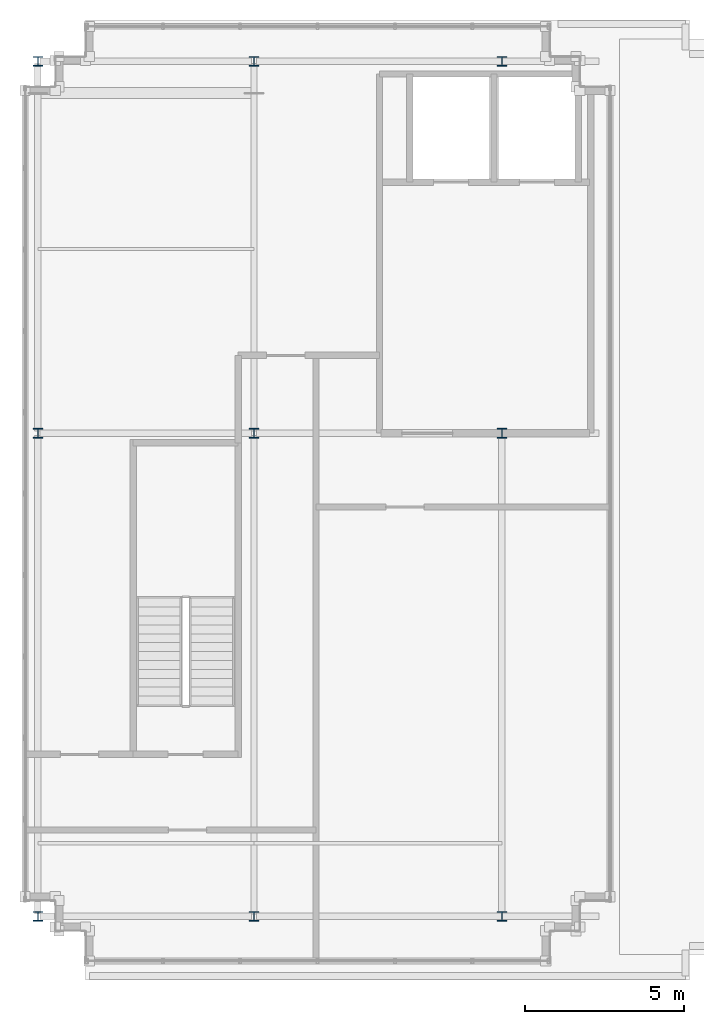
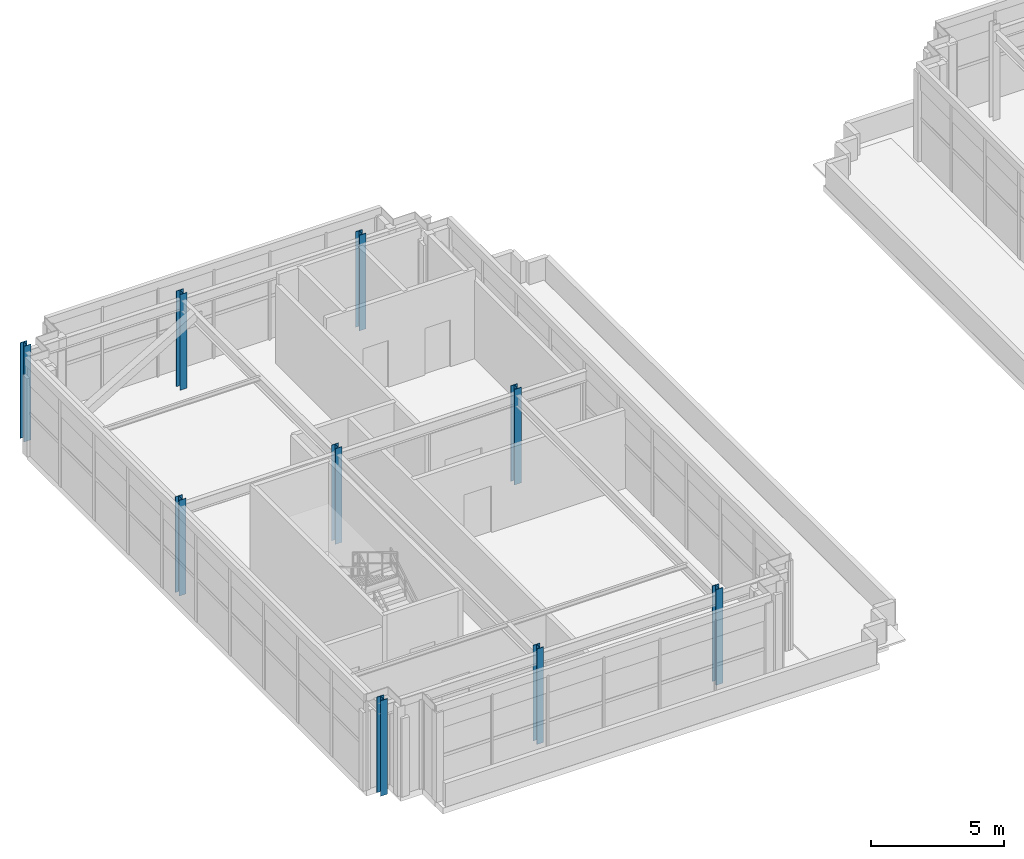
# One storey, part 1 of 28: 9 columns.
"""IFC4 building model written with IfcOpenShell, lengths in metres."""

from ifc_helpers import new_model, si_unit, direction, frame, origin, origin_2d, place, context, subcontext, project, spatial, i_section, extrude, source, transform, mapped, material, material_profile, profile_set, type_object, element, save


model = new_model("IFC4")

# Units and contexts
model_context = context("Model", 3, precision=1e-05, world=origin(), true_north=direction((0.0, 1.0)))
body_context = subcontext(model_context, "Body", "Model", "MODEL_VIEW")
ifc_project = project(units=[si_unit("LENGTHUNIT", "METRE"), si_unit("AREAUNIT", "SQUARE_METRE"), si_unit("VOLUMEUNIT", "CUBIC_METRE"), si_unit("PLANEANGLEUNIT", "RADIAN"), si_unit("MASSUNIT", "GRAM", prefix="KILO")], contexts=[model_context])

# Site, building, storey
site_placement = place(None, origin())
site = spatial("IfcSite", under=ifc_project, at=site_placement, CompositionType="ELEMENT")
building_placement = place(site_placement, origin())
building = spatial("IfcBuilding", under=site, at=building_placement, Name="Trelvane Seafront Commons", CompositionType="ELEMENT")
storey_placement = place(building_placement, frame((0.0, 0.0, 312.300048828125)))
storey = spatial("IfcBuildingStorey", under=building, at=storey_placement, Name="L81", CompositionType="ELEMENT", Elevation=312.300048828125)

# Columns
ifc_material = material(Name="Steel SM355 (S355)", Category="steel")
ifc_material_profile = material_profile(ifc_material, i_section(OverallWidth=0.300048828125, OverallDepth=0.300048828125, WebThickness=0.014892578125, FlangeThickness=0.02392578125, at=origin_2d()), Name="HD-300x300x15x24")
ifc_profile_set = profile_set([ifc_material_profile], Name="Steel SM355 (S355)")
column_type = type_object("IfcColumnType", Name="STR-CROWN-FRAME-COL", PredefinedType="COLUMN", material=ifc_profile_set)
shared_shape = source(origin(), body_context, "Body", "SweptSolid", [
    extrude(i_section(OverallWidth=0.300048828125, OverallDepth=0.300048828125, WebThickness=0.014892578125, FlangeThickness=0.02392578125, at=origin_2d()), origin(), (0.0, 0.0, 1.0), 4.39990234375),
])
for number, where, z_axis, x_axis, name in (
    (1, (8.800048828125, 18.199951171875, 0.0), (0.0, 0.0, 1.0), (1.0, 0.0, 0.0), "L81 CROWN FRAME Column CRN-1-1"),
    (2, (8.800048828125, 33.39990234375, 0.0), (0.0, 0.0, 1.0), (1.0, 0.0, 0.0), "L81 CROWN FRAME Column CRN-1-2"),
    (3, (8.800048828125, 45.10009765625, 0.0), (0.0, 0.0, 1.0), (1.0, 0.0, 0.0), "L81 CROWN FRAME Column CRN-1-3"),
    (4, (15.60009765625, 18.199951171875, 0.0), (0.0, 0.0, 1.0), (1.0, 0.0, 0.0), "L81 CROWN FRAME Column CRN-2-1"),
    (5, (15.60009765625, 33.39990234375, 0.0), (0.0, 0.0, 1.0), (1.0, 0.0, 0.0), "L81 CROWN FRAME Column CRN-2-2"),
    (6, (15.60009765625, 45.10009765625, 0.0), (0.0, 0.0, 1.0), (1.0, 0.0, 0.0), "L81 CROWN FRAME Column CRN-2-3"),
    (7, (23.39990234375, 18.199951171875, 0.0), (0.0, 0.0, 1.0), (1.0, 0.0, 0.0), "L81 CROWN FRAME Column CRN-3-1"),
    (8, (23.39990234375, 33.39990234375, 0.0), (0.0, 0.0, 1.0), (1.0, 0.0, 0.0), "L81 CROWN FRAME Column CRN-3-2"),
    (9, (23.39990234375, 45.10009765625, 0.0), (0.0, 0.0, 1.0), (1.0, 0.0, 0.0), "L81 CROWN FRAME Column CRN-3-3"),
):
    element("IfcColumn", number, at=place(storey_placement, frame(where, z_axis=z_axis, x_axis=x_axis)), inside=storey, type_object=column_type, Name=name, PredefinedType="COLUMN", context=body_context, shape_type="MappedRepresentation", body=[
        mapped(shared_shape, transform((0.0, 0.0, 0.0), x_axis=(1.0, 0.0, 0.0), y_axis=(0.0, 1.0, 0.0), z_axis=(0.0, 0.0, 1.0), scale=1.0)),
    ])

save(model, "model.ifc")
